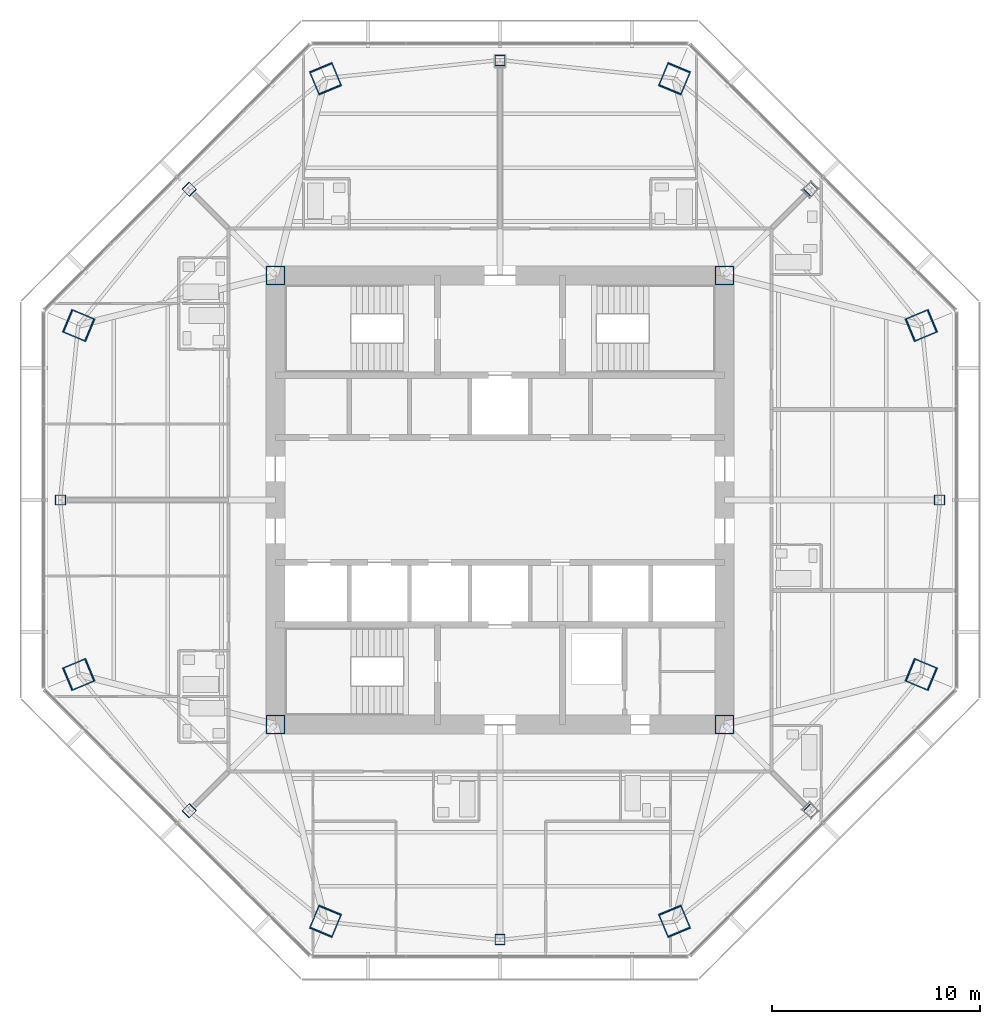
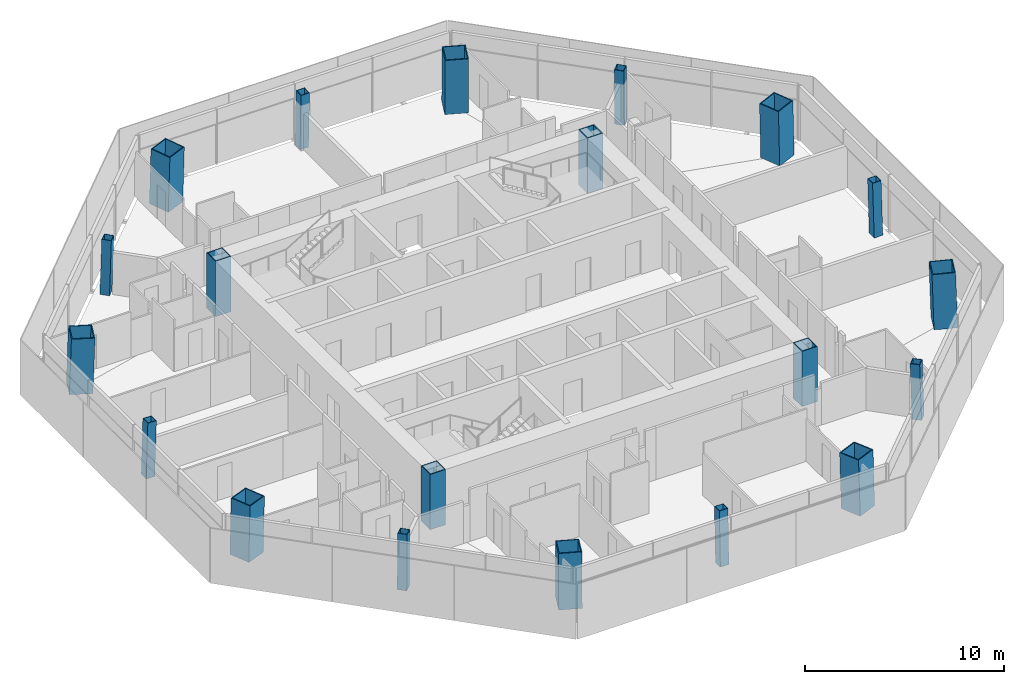
# One storey, part 1 of 15: 20 columns.
"""IFC4 building model written with IfcOpenShell, lengths in metres."""

from ifc_helpers import new_model, si_unit, direction, frame, origin, origin_2d, place, context, subcontext, project, spatial, hollow_rectangle, extrude, material, material_profile, profile_set, type_object, element, save


model = new_model("IFC4")

# Units and contexts
model_context = context("Model", 3, precision=1e-05, world=origin(), true_north=direction((0.0, 1.0)))
body_context = subcontext(model_context, "Body", "Model", "MODEL_VIEW")
ifc_project = project(units=[si_unit("LENGTHUNIT", "METRE"), si_unit("AREAUNIT", "SQUARE_METRE"), si_unit("VOLUMEUNIT", "CUBIC_METRE"), si_unit("PLANEANGLEUNIT", "RADIAN"), si_unit("MASSUNIT", "GRAM", prefix="KILO")], contexts=[model_context])

# Site, building, storey
site_placement = place(None, origin())
site = spatial("IfcSite", under=ifc_project, at=site_placement, CompositionType="ELEMENT")
building_placement = place(site_placement, origin())
building = spatial("IfcBuilding", under=site, at=building_placement, Name="Mashrafa Tower", CompositionType="ELEMENT")
storey_placement = place(building_placement, frame((0.0, 0.0, 214.199951171875)))
storey = spatial("IfcBuildingStorey", under=building, at=storey_placement, Name="L49", CompositionType="ELEMENT", Elevation=214.199951171875)

# Columns
ifc_material_1 = material(Name="Steel ASTM A572 Gr 50", Category="steel")
ifc_material_profile_1 = material_profile(ifc_material_1, hollow_rectangle(XDim=0.89990234375, YDim=0.89990234375, WallThickness=0.050048828125, at=origin_2d()), Name="BOX900X900X50")
ifc_profile_set_1 = profile_set([ifc_material_profile_1], Name="Steel ASTM A572 Gr 50")
column_type_1 = type_object("IfcColumnType", Name="Core corner column BOX900X900X50", PredefinedType="COLUMN", material=ifc_profile_set_1)
for number, where, z_axis, x_axis, name in (
    (1, (10.800048828125, 10.800048828125, 0.0), (0.0, 0.0, 1.0), (1.0, 0.0, 0.0), "Core corner column CC-NE L49"),
    (2, (-10.800048828125, 10.800048828125, 0.0), (0.0, 0.0, 1.0), (1.0, 0.0, 0.0), "Core corner column CC-NW L49"),
    (3, (-10.800048828125, -10.800048828125, 0.0), (0.0, 0.0, 1.0), (1.0, 0.0, 0.0), "Core corner column CC-SW L49"),
    (4, (10.800048828125, -10.800048828125, 0.0), (0.0, 0.0, 1.0), (1.0, 0.0, 0.0), "Core corner column CC-SE L49"),
):
    element("IfcColumn", number, at=place(storey_placement, frame(where, z_axis=z_axis, x_axis=x_axis)), inside=storey, type_object=column_type_1, Name=name, PredefinedType="COLUMN", context=body_context, shape_type="SweptSolid", body=[
        extrude(hollow_rectangle(XDim=0.89990234375, YDim=0.89990234375, WallThickness=0.050048828125, at=origin_2d()), origin(), (0.0, 0.0, 1.0), 3.400146484375),
    ])
ifc_material_2 = material(Name="Steel ASTM A572 Gr 50", Category="steel")
ifc_material_profile_2 = material_profile(ifc_material_2, hollow_rectangle(XDim=1.199951171875, YDim=1.199951171875, WallThickness=0.054931640625, at=origin_2d()), Name="BOX1200X1200X55")
ifc_profile_set_2 = profile_set([ifc_material_profile_2], Name="Steel ASTM A572 Gr 50")
column_type_2 = type_object("IfcColumnType", Name="Mega column CFST BOX1200X1200X55", PredefinedType="COLUMN", material=ifc_profile_set_2)
for number, where, z_axis, x_axis, name in (
    (5, (20.277099609375, 8.399169921875, 0.0), (-0.02827709807, -0.011770162649, 0.999530824435), (0.3842825994, -0.923215513192, 0.0), "Mega column MC1 L49"),
    (6, (8.399169921875, 20.277099609375, 0.0), (-0.011770162649, -0.02827709807, 0.999530824435), (0.923215513192, -0.3842825994, 0.0), "Mega column MC2 L49"),
    (7, (-8.399169921875, 20.277099609375, 0.0), (0.011770162649, -0.02827709807, 0.999530824435), (0.923215513192, 0.3842825994, 0.0), "Mega column MC3 L49"),
    (8, (-20.277099609375, 8.399169921875, 0.0), (0.02827709807, -0.011770162649, 0.999530824435), (0.3842825994, 0.923215513192, 0.0), "Mega column MC4 L49"),
    (9, (-20.277099609375, -8.399169921875, 0.0), (0.02827709807, 0.011770162649, 0.999530824435), (-0.3842825994, 0.923215513192, 0.0), "Mega column MC5 L49"),
    (10, (-8.399169921875, -20.277099609375, 0.0), (0.011770162649, 0.02827709807, 0.999530824435), (-0.923215513192, 0.3842825994, 0.0), "Mega column MC6 L49"),
    (11, (8.399169921875, -20.277099609375, 0.0), (-0.011770162649, 0.02827709807, 0.999530824435), (-0.923215513192, -0.3842825994, 0.0), "Mega column MC7 L49"),
    (12, (20.277099609375, -8.399169921875, 0.0), (-0.02827709807, 0.011770162649, 0.999530824435), (-0.3842825994, -0.923215513192, 0.0), "Mega column MC8 L49"),
):
    element("IfcColumn", number, at=place(storey_placement, frame(where, z_axis=z_axis, x_axis=x_axis)), inside=storey, type_object=column_type_2, Name=name, PredefinedType="COLUMN", context=body_context, shape_type="SweptSolid", body=[
        extrude(hollow_rectangle(XDim=1.199951171875, YDim=1.199951171875, WallThickness=0.054931640625, at=origin_2d()), origin(), (0.0, 0.0, 1.0), 3.40185546875),
    ])
ifc_material_3 = material(Name="Steel ASTM A572 Gr 50", Category="steel")
ifc_material_profile_3 = material_profile(ifc_material_3, hollow_rectangle(XDim=0.5, YDim=0.5, WallThickness=0.02490234375, at=origin_2d()), Name="BOX500X500X25")
ifc_profile_set_3 = profile_set([ifc_material_profile_3], Name="Steel ASTM A572 Gr 50")
column_type_3 = type_object("IfcColumnType", Name="Secondary column BOX500X500X25", PredefinedType="COLUMN", material=ifc_profile_set_3)
for number, where, z_axis, x_axis, name in (
    (13, (21.1552734375, 0.0, 0.0), (-0.028279056982, 0.0, 0.999600067495), (0.0, -1.0, 0.0), "Secondary column SC1 L49"),
    (14, (14.958984375, 14.958984375, 0.0), (-0.019953277583, -0.019953277583, 0.999601787427), (0.707106781187, -0.707106781187, 0.0), "Secondary column SC2 L49"),
    (15, (0.0, 21.1552734375, 0.0), (0.0, -0.028279056982, 0.999600067495), (1.0, 0.0, 0.0), "Secondary column SC3 L49"),
    (16, (-14.958984375, 14.958984375, 0.0), (0.019953277583, -0.019953277583, 0.999601787427), (0.707106781187, 0.707106781187, 0.0), "Secondary column SC4 L49"),
    (17, (-21.1552734375, 0.0, 0.0), (0.028279056982, 0.0, 0.999600067495), (0.0, 1.0, 0.0), "Secondary column SC5 L49"),
    (18, (-14.958984375, -14.958984375, 0.0), (0.019953277583, 0.019953277583, 0.999601787427), (-0.707106781187, 0.707106781187, 0.0), "Secondary column SC6 L49"),
    (19, (0.0, -21.1552734375, 0.0), (0.0, 0.028279056982, 0.999600067495), (-1.0, 0.0, 0.0), "Secondary column SC7 L49"),
    (20, (14.958984375, -14.958984375, 0.0), (-0.019953277583, 0.019953277583, 0.999601787427), (-0.707106781187, -0.707106781187, 0.0), "Secondary column SC8 L49"),
):
    element("IfcColumn", number, at=place(storey_placement, frame(where, z_axis=z_axis, x_axis=x_axis)), inside=storey, type_object=column_type_3, Name=name, PredefinedType="COLUMN", context=body_context, shape_type="SweptSolid", body=[
        extrude(hollow_rectangle(XDim=0.5, YDim=0.5, WallThickness=0.02490234375, at=origin_2d()), origin(), (0.0, 0.0, 1.0), 3.401611328125),
    ])

save(model, "model.ifc")
